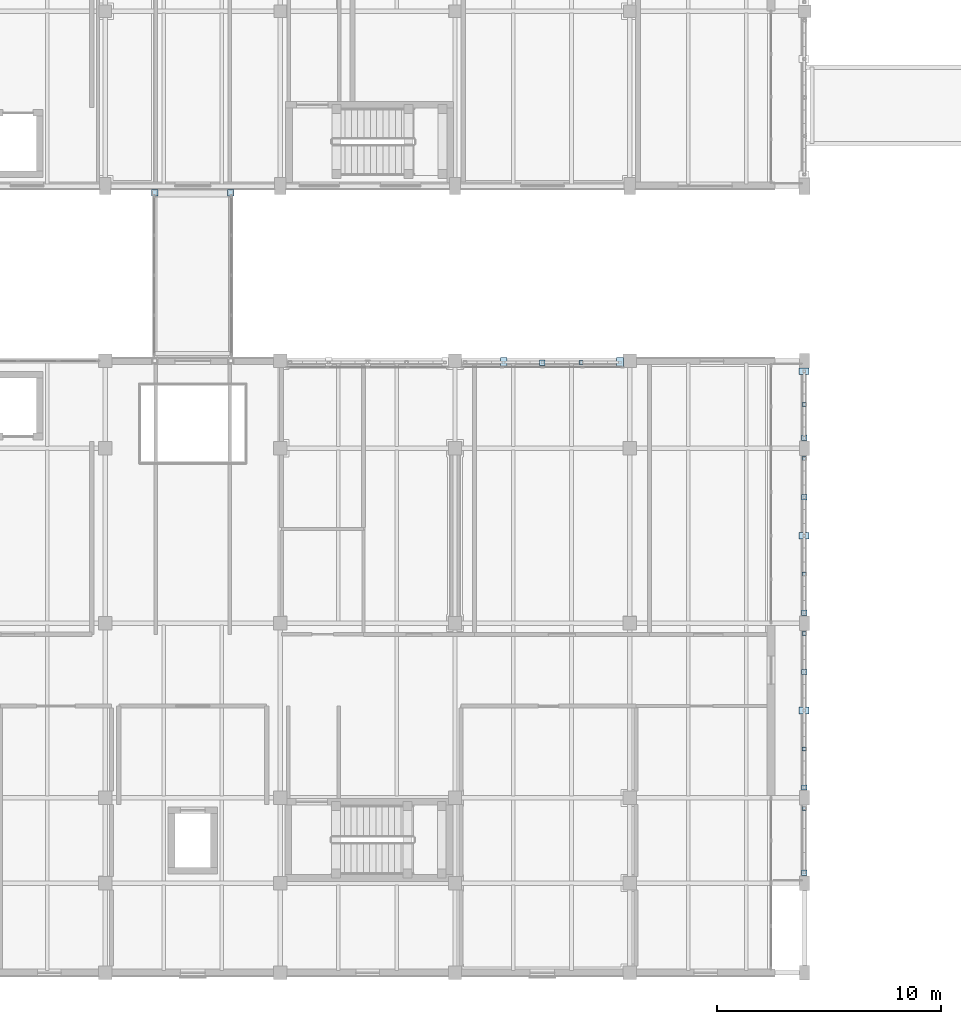
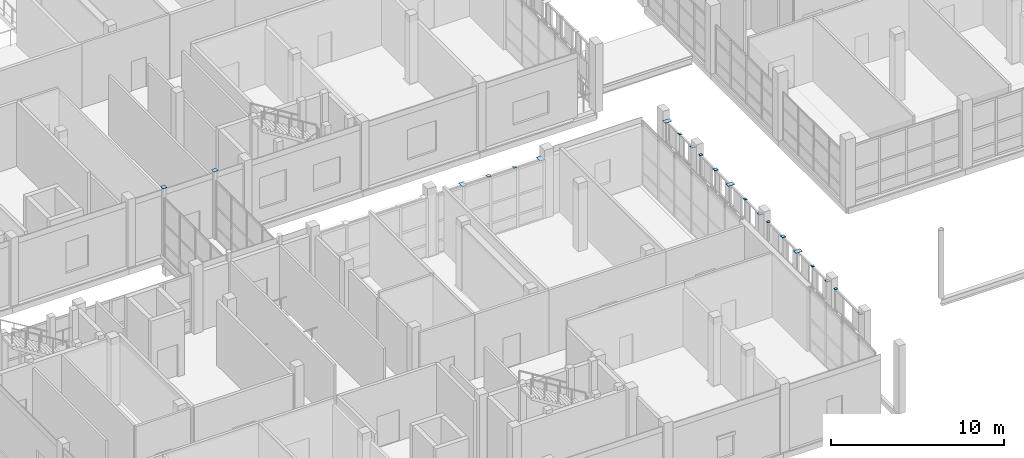
# One storey, part 91 of 138: 21 plates.
"""IFC4 building model written with IfcOpenShell, lengths in metres."""

from ifc_helpers import new_model, si_unit, direction, frame, origin, origin_2d, place, context, subcontext, project, spatial, rectangle, extrude, material, layer, layer_set, type_object, element, save


model = new_model("IFC4")

# Units and contexts
model_context = context("Model", 3, precision=1e-05, world=origin(), true_north=direction((0.0, 1.0)))
body_context = subcontext(model_context, "Body", "Model", "MODEL_VIEW")
ifc_project = project(units=[si_unit("LENGTHUNIT", "METRE"), si_unit("AREAUNIT", "SQUARE_METRE"), si_unit("VOLUMEUNIT", "CUBIC_METRE"), si_unit("PLANEANGLEUNIT", "RADIAN"), si_unit("MASSUNIT", "GRAM", prefix="KILO")], contexts=[model_context])

# Site, building, storey
site_placement = place(None, origin())
site = spatial("IfcSite", under=ifc_project, at=site_placement, CompositionType="ELEMENT")
building_placement = place(site_placement, origin())
building = spatial("IfcBuilding", under=site, at=building_placement, Name="Celorna Specialist Clinic", CompositionType="ELEMENT")
storey_placement = place(building_placement, frame((0.0, 0.0, 4.800048828125)))
storey = spatial("IfcBuildingStorey", under=building, at=storey_placement, Name="L01", CompositionType="ELEMENT", Elevation=4.800048828125)

# Plates
ifc_material = material(Name="Steel S355", Category="steel")
ifc_layer_1 = layer(ifc_material, 0.013916015625, Name="Steel S355")
ifc_layer_set_1 = layer_set([ifc_layer_1], Name="Steel S355")
plate_type_1 = type_object("IfcPlateType", Name="EP-05", PredefinedType="SHEET", material=ifc_layer_set_1)
for number, where, z_axis, x_axis, name in (
    (1, (17.800048828125, 34.800048828125, 4.7998046875), (0.0, 0.0, 1.0), (1.0, 0.0, 0.0), "Hollow column cap plate COL-L01-CT-15-1780-3480"),
    (2, (21.199951171875, 34.800048828125, 4.7998046875), (0.0, 0.0, 1.0), (1.0, 0.0, 0.0), "Hollow column cap plate COL-L01-CT-15-2120-3480"),
):
    element("IfcPlate", number, at=place(storey_placement, frame(where, z_axis=z_axis, x_axis=x_axis)), inside=storey, type_object=plate_type_1, Name=name, PredefinedType="SHEET", context=body_context, shape_type="SweptSolid", body=[
        extrude(rectangle(XDim=0.280029296875, YDim=0.280029296875, at=origin_2d()), origin(), (0.0, 0.0, 1.0), 0.01611328125),
    ])
ifc_layer_2 = layer(ifc_material, 0.011962890625, Name="Steel S355")
ifc_layer_set_2 = layer_set([ifc_layer_2], Name="Steel S355")
plate_type_2 = type_object("IfcPlateType", Name="EP-06", PredefinedType="SHEET", material=ifc_layer_set_2)
for number, where, z_axis, x_axis, name in (
    (3, (46.780029296875, 7.3349609375, 4.14013671875), (0.0, 0.0, 1.0), (0.0, 1.0, 0.0), "Screen post cap plate EP-06 #1614"),
    (4, (46.780029296875, 9.982421875, 4.14013671875), (0.0, 0.0, 1.0), (0.0, 1.0, 0.0), "Screen post cap plate EP-06 #1620"),
    (5, (46.780029296875, 15.135009765625, 4.14013671875), (0.0, 0.0, 1.0), (0.0, 1.0, 0.0), "Screen post cap plate EP-06 #1623"),
    (6, (46.780029296875, 17.782470703125, 4.14013671875), (0.0, 0.0, 1.0), (0.0, 1.0, 0.0), "Screen post cap plate EP-06 #1641"),
    (7, (46.780029296875, 22.93505859375, 4.14013671875), (0.0, 0.0, 1.0), (0.0, 1.0, 0.0), "Screen post cap plate EP-06 #1644"),
    (8, (46.780029296875, 25.35009765625, 4.14013671875), (0.0, 0.0, 1.0), (0.0, 1.0, 0.0), "Screen post cap plate EP-06 #1662"),
    (9, (36.830078125, 27.219970703125, 4.14013671875), (0.0, 0.0, 1.0), (1.0, 0.0, 0.0), "Screen post cap plate EP-06 #1755"),
):
    element("IfcPlate", number, at=place(storey_placement, frame(where, z_axis=z_axis, x_axis=x_axis)), inside=storey, type_object=plate_type_2, Name=name, PredefinedType="SHEET", context=body_context, shape_type="SweptSolid", body=[
        extrude(rectangle(XDim=0.179931640625, YDim=0.179931640625, at=origin_2d()), origin(), (0.0, 0.0, 1.0), 0.011962890625),
    ])
ifc_layer_3 = layer(ifc_material, 0.01611328125, Name="Steel S355")
ifc_layer_set_3 = layer_set([ifc_layer_3], Name="Steel S355")
plate_type_3 = type_object("IfcPlateType", Name="EP-07", PredefinedType="SHEET", material=ifc_layer_set_3)
for number, where, z_axis, x_axis, name in (
    (10, (46.780029296875, 11.699951171875, 4.139892578125), (0.0, 0.0, 1.0), (0.0, 1.0, 0.0), "Screen post cap plate EP-07 #1621"),
    (11, (46.780029296875, 19.5, 4.139892578125), (0.0, 0.0, 1.0), (0.0, 1.0, 0.0), "Screen post cap plate EP-07 #1642"),
    (12, (46.780029296875, 26.8349609375, 4.139892578125), (0.0, 0.0, 1.0), (0.0, 1.0, 0.0), "Screen post cap plate EP-07 #1663"),
    (13, (33.3701171875, 27.219970703125, 4.139892578125), (0.0, 0.0, 1.0), (1.0, 0.0, 0.0), "Screen post cap plate EP-07 #1753"),
    (14, (38.56005859375, 27.219970703125, 4.139892578125), (0.0, 0.0, 1.0), (1.0, 0.0, 0.0), "Screen post cap plate EP-07 #1756"),
):
    element("IfcPlate", number, at=place(storey_placement, frame(where, z_axis=z_axis, x_axis=x_axis)), inside=storey, type_object=plate_type_3, Name=name, PredefinedType="SHEET", context=body_context, shape_type="SweptSolid", body=[
        extrude(rectangle(XDim=0.300048828125, YDim=0.43994140625, at=origin_2d()), origin(), (0.0, 0.0, 1.0), 0.01611328125),
    ])
ifc_layer_4 = layer(ifc_material, 0.013916015625, Name="Steel S355")
ifc_layer_set_4 = layer_set([ifc_layer_4], Name="Steel S355")
plate_type_4 = type_object("IfcPlateType", Name="EP-08", PredefinedType="SHEET", material=ifc_layer_set_4)
for number, where, z_axis, x_axis, name in (
    (15, (46.780029296875, 4.465087890625, 4.14013671875), (0.0, 0.0, 1.0), (0.0, 1.0, 0.0), "Screen post cap plate EP-08 #1613"),
    (16, (46.780029296875, 8.264892578125, 4.14013671875), (0.0, 0.0, 1.0), (0.0, 1.0, 0.0), "Screen post cap plate EP-08 #1619"),
    (17, (46.780029296875, 13.41748046875, 4.14013671875), (0.0, 0.0, 1.0), (0.0, 1.0, 0.0), "Screen post cap plate EP-08 #1622"),
    (18, (46.780029296875, 16.06494140625, 4.14013671875), (0.0, 0.0, 1.0), (0.0, 1.0, 0.0), "Screen post cap plate EP-08 #1640"),
    (19, (46.780029296875, 21.217529296875, 4.14013671875), (0.0, 0.0, 1.0), (0.0, 1.0, 0.0), "Screen post cap plate EP-08 #1643"),
    (20, (46.780029296875, 23.864990234375, 4.14013671875), (0.0, 0.0, 1.0), (0.0, 1.0, 0.0), "Screen post cap plate EP-08 #1661"),
    (21, (35.10009765625, 27.219970703125, 4.14013671875), (0.0, 0.0, 1.0), (1.0, 0.0, 0.0), "Screen post cap plate EP-08 #1754"),
):
    element("IfcPlate", number, at=place(storey_placement, frame(where, z_axis=z_axis, x_axis=x_axis)), inside=storey, type_object=plate_type_4, Name=name, PredefinedType="SHEET", context=body_context, shape_type="SweptSolid", body=[
        extrude(rectangle(XDim=0.239990234375, YDim=0.239990234375, at=origin_2d()), origin(), (0.0, 0.0, 1.0), 0.013916015625),
    ])

save(model, "model.ifc")
